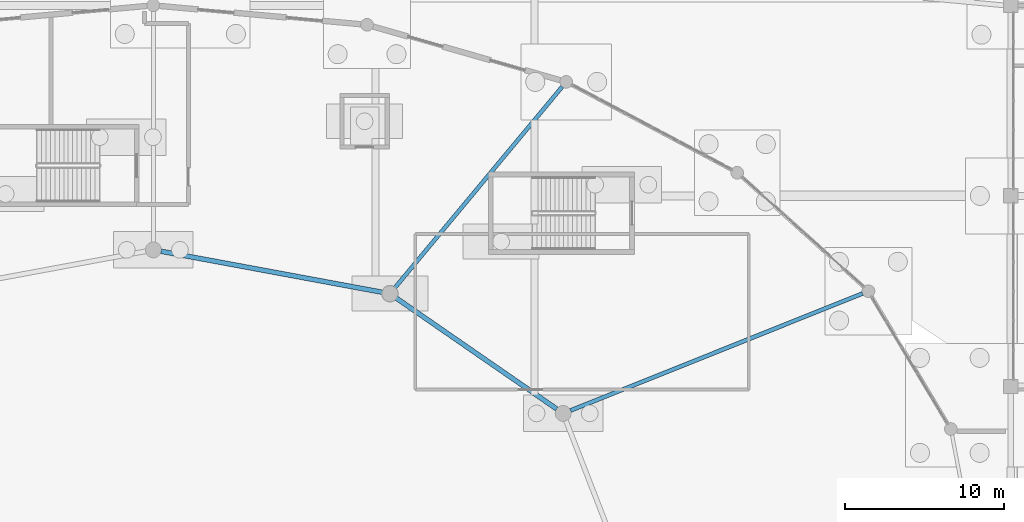
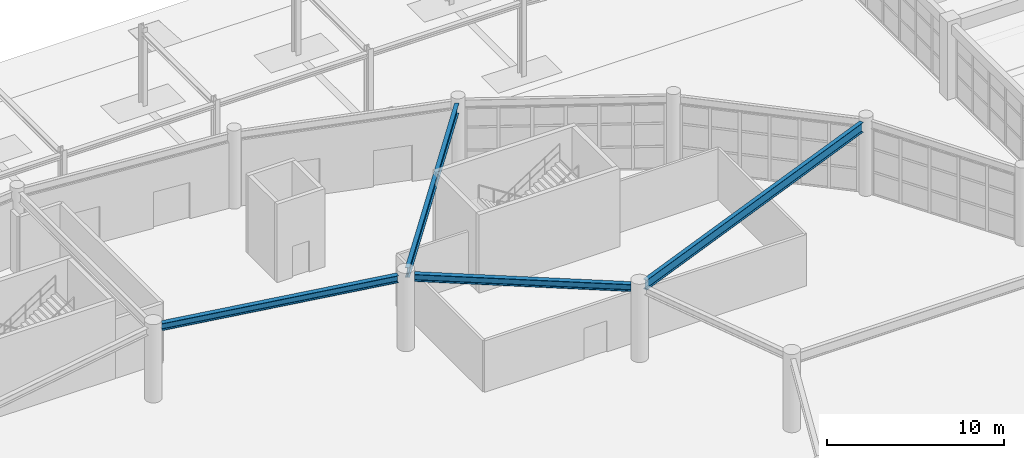
# One storey, part 46 of 99: 4 beams.
"""IFC4 building model written with IfcOpenShell, lengths in metres."""

from ifc_helpers import new_model, si_unit, direction, frame, origin, origin_2d, place, context, subcontext, project, spatial, i_section, extrude, material, material_profile, profile_set, type_object, element, save


model = new_model("IFC4")

# Units and contexts
model_context = context("Model", 3, precision=1e-05, world=origin(), true_north=direction((0.0, 1.0)))
body_context = subcontext(model_context, "Body", "Model", "MODEL_VIEW")
ifc_project = project(units=[si_unit("LENGTHUNIT", "METRE"), si_unit("AREAUNIT", "SQUARE_METRE"), si_unit("VOLUMEUNIT", "CUBIC_METRE"), si_unit("PLANEANGLEUNIT", "RADIAN"), si_unit("MASSUNIT", "GRAM", prefix="KILO")], contexts=[model_context])

# Site, building, storey
site_placement = place(None, origin())
site = spatial("IfcSite", under=ifc_project, at=site_placement, CompositionType="ELEMENT")
building_placement = place(site_placement, origin())
building = spatial("IfcBuilding", under=site, at=building_placement, Name="Kivolera Central Railway Station", CompositionType="ELEMENT")
storey_placement = place(building_placement, origin())
storey = spatial("IfcBuildingStorey", under=building, at=storey_placement, Name="L00", CompositionType="ELEMENT", Elevation=0.0)

# Beams
ifc_material = material(Name="Steel S355", Category="steel")
ifc_material_profile_1 = material_profile(ifc_material, i_section(OverallWidth=0.300048828125, OverallDepth=0.489990234375, WebThickness=0.011962890625, FlangeThickness=0.02294921875, FilletRadius=0.027099609375, at=origin_2d()), Name="HEA 500")
ifc_profile_set_1 = profile_set([ifc_material_profile_1], Name="Steel S355")
beam_type_1 = type_object("IfcBeamType", Name="BM-SHD-HEA500", PredefinedType="BEAM", material=ifc_profile_set_1)
beam_1_placement = place(storey_placement, frame((89.405029296875, 100.5791015625, 4.863037109375), z_axis=(-0.822641407904, 0.568560563179, 0.0), x_axis=(-0.568560563179, -0.822641407904, 0.0)))
element("IfcBeam", 1, at=beam_1_placement, inside=storey, type_object=beam_type_1, Name="L00 Oval Inner Gallery Ring Beam 02", PredefinedType="BEAM", context=body_context, shape_type="SweptSolid", body=[
    extrude(i_section(OverallWidth=0.300048828125, OverallDepth=0.489990234375, WebThickness=0.011962890625, FlangeThickness=0.02294921875, FilletRadius=0.027099609375, at=origin_2d()), origin(), (0.0, 0.0, 1.0), 12.280029296875),
])
beam_2_placement = place(storey_placement, frame((78.41796875, 107.928955078125, 4.863037109375), z_axis=(-0.983265780788, 0.182176849053, 0.0), x_axis=(-0.182176849053, -0.983265780788, 0.0)))
element("IfcBeam", 2, at=beam_2_placement, inside=storey, type_object=beam_type_1, Name="L00 Oval Inner Gallery Ring Beam 03", PredefinedType="BEAM", context=body_context, shape_type="SweptSolid", body=[
    extrude(i_section(OverallWidth=0.300048828125, OverallDepth=0.489990234375, WebThickness=0.011962890625, FlangeThickness=0.02294921875, FilletRadius=0.027099609375, at=origin_2d()), origin(), (0.0, 0.0, 1.0), 14.173095703125),
])
ifc_material_profile_2 = material_profile(ifc_material, i_section(OverallWidth=0.253662109375, OverallDepth=0.68359375, WebThickness=0.012451171875, FlangeThickness=0.01904296875, FilletRadius=0.01513671875, at=origin_2d()), Name="UB 686x254x140")
ifc_profile_set_2 = profile_set([ifc_material_profile_2], Name="Steel S355")
beam_type_2 = type_object("IfcBeamType", Name="BM-SHD-UB686", PredefinedType="BEAM", material=ifc_profile_set_2)
beam_3_placement = place(storey_placement, frame((90.262939453125, 100.48193359375, 4.76611328125), z_axis=(0.928305074345, 0.371819430565, 0.0), x_axis=(-0.371819430565, 0.928305074345, 0.0)))
element("IfcBeam", 3, at=beam_3_placement, inside=storey, type_object=beam_type_2, Name="L00 Oval Gallery Radial Girder 02", PredefinedType="BEAM", context=body_context, shape_type="SweptSolid", body=[
    extrude(i_section(OverallWidth=0.253662109375, OverallDepth=0.68359375, WebThickness=0.012451171875, FlangeThickness=0.01904296875, FilletRadius=0.01513671875, at=origin_2d()), origin(), (0.0, 0.0, 1.0), 19.82958984375),
])
beam_4_placement = place(storey_placement, frame((79.212890625, 108.217041015625, 4.76611328125), z_axis=(0.639760063775, 0.768574694353, 0.0), x_axis=(-0.768574694353, 0.639760063775, 0.0)))
element("IfcBeam", 4, at=beam_4_placement, inside=storey, type_object=beam_type_2, Name="L00 Oval Gallery Radial Girder 03", PredefinedType="BEAM", context=body_context, shape_type="SweptSolid", body=[
    extrude(i_section(OverallWidth=0.253662109375, OverallDepth=0.68359375, WebThickness=0.012451171875, FlangeThickness=0.01904296875, FilletRadius=0.01513671875, at=origin_2d()), origin(), (0.0, 0.0, 1.0), 16.471923828125),
])

save(model, "model.ifc")
